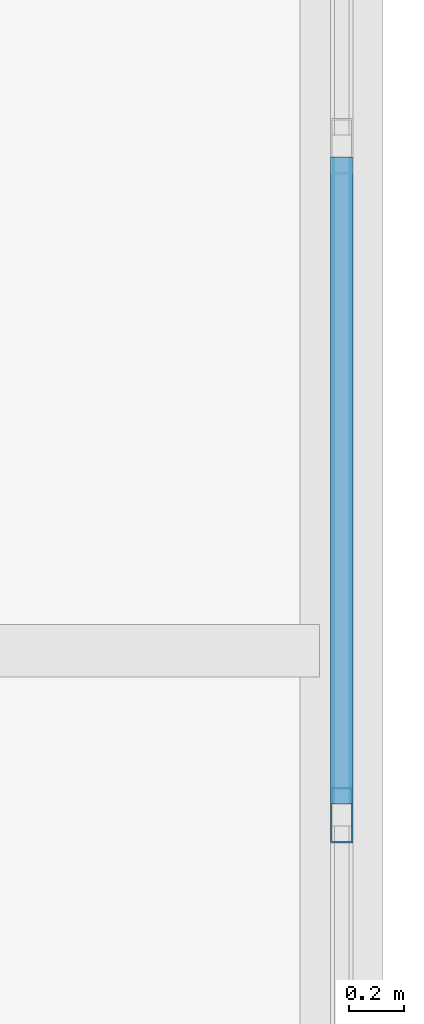
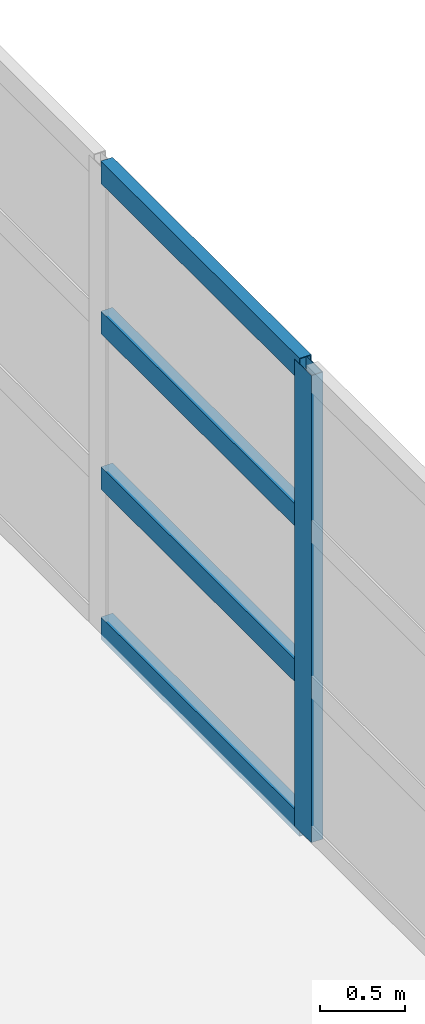
# One storey, part 102 of 147: 5 members, 1 element without a shape of its own.
"""IFC4 building model written with IfcOpenShell, lengths in metres."""

from ifc_helpers import new_model, si_unit, direction, frame, origin, origin_2d, place, context, subcontext, project, spatial, hollow_rectangle, extrude, material, layer, layer_set, material_profile, profile_set, type_object, element, aggregate, save


model = new_model("IFC4")

# Units and contexts
model_context = context("Model", 3, precision=1e-05, world=origin(), true_north=direction((0.0, 1.0)))
body_context = subcontext(model_context, "Body", "Model", "MODEL_VIEW")
ifc_project = project(units=[si_unit("LENGTHUNIT", "METRE"), si_unit("AREAUNIT", "SQUARE_METRE"), si_unit("VOLUMEUNIT", "CUBIC_METRE"), si_unit("PLANEANGLEUNIT", "RADIAN"), si_unit("MASSUNIT", "GRAM", prefix="KILO")], contexts=[model_context])

# Site, building, storey
site_placement = place(None, origin())
site = spatial("IfcSite", under=ifc_project, at=site_placement, CompositionType="ELEMENT")
building_placement = place(site_placement, origin())
building = spatial("IfcBuilding", under=site, at=building_placement, Name="Zilviju Railside Exhibition Hall", CompositionType="ELEMENT")
storey_placement = place(building_placement, frame((0.0, 0.0, 8.39990234375)))
storey = spatial("IfcBuildingStorey", under=building, at=storey_placement, Name="L03", CompositionType="ELEMENT", Elevation=8.39990234375)

# Curtain wall, members
ifc_material_1 = material(Name="Thermally broken aluminium-steel triple-glazed curtain wall", Category="steel")
ifc_layer = layer(ifc_material_1, 0.179931640625)
ifc_layer_set = layer_set([ifc_layer], Name="Thermally broken aluminium-steel triple-glazed curtain wall")
curtain_wall_type = type_object("IfcCurtainWallType", Name="CW-BAY-08", PredefinedType="USERDEFINED", material=ifc_layer_set)
curtain_wall_placement = place(storey_placement, origin())
curtain_wall = element("IfcCurtainWall", 1, at=curtain_wall_placement, inside=storey, type_object=curtain_wall_type, Name="North Hall East Glazed Gable L03 (84..102)", ObjectType="GLAZED CURTAIN WALL", PredefinedType="USERDEFINED")
ifc_material_2 = material(Name="Thermally broken anodized aluminium mullion", Category="aluminium")
ifc_material_profile_1 = material_profile(ifc_material_2, hollow_rectangle(XDim=0.080078125, YDim=0.199951171875, WallThickness=0.0048828125, at=origin_2d()), Name="MULLION 200x80x5")
ifc_profile_set_1 = profile_set([ifc_material_profile_1], Name="Thermally broken anodized aluminium mullion")
member_type_1 = type_object("IfcMemberType", Name="CWM-80x200", PredefinedType="MULLION", material=ifc_profile_set_1)
member_1_placement = place(storey_placement, frame((216.0, 94.20703125, 0.0), z_axis=(0.0, 0.0, 1.0), x_axis=(1.0, 0.0, 0.0)))
member_1 = element("IfcMember", 2, at=member_1_placement, type_object=member_type_1, Name="CW-08 mullion 4", PredefinedType="MULLION", context=body_context, shape_type="SweptSolid", body=[
    extrude(hollow_rectangle(XDim=0.080078125, YDim=0.199951171875, WallThickness=0.0048828125, at=origin_2d()), origin(), (0.0, 0.0, 1.0), 3.35009765625),
])
ifc_material_3 = material(Name="Thermally broken anodized aluminium transom", Category="aluminium")
ifc_material_profile_2 = material_profile(ifc_material_3, hollow_rectangle(XDim=0.080078125, YDim=0.159912109375, WallThickness=0.0048828125, at=origin_2d()), Name="TRANSOM 160x80x5")
ifc_profile_set_2 = profile_set([ifc_material_profile_2], Name="Thermally broken anodized aluminium transom")
member_type_2 = type_object("IfcMemberType", Name="CWT-80x160", PredefinedType="USERDEFINED", material=ifc_profile_set_2)
member_2_placement = place(storey_placement, frame((216.0, 96.58154296875, 0.0400390625), z_axis=(0.0, -1.0, 0.0), x_axis=(1.0, 0.0, 0.0)))
member_2 = element("IfcMember", 3, at=member_2_placement, type_object=member_type_2, Name="CW-08 transom 3.1", ObjectType="TRANSOM", PredefinedType="USERDEFINED", context=body_context, shape_type="SweptSolid", body=[
    extrude(hollow_rectangle(XDim=0.080078125, YDim=0.159912109375, WallThickness=0.0048828125, at=origin_2d()), origin(), (0.0, 0.0, 1.0), 2.33447265625),
])
member_3_placement = place(storey_placement, frame((216.0, 96.58154296875, 1.1171875), z_axis=(0.0, -1.0, 0.0), x_axis=(1.0, 0.0, 0.0)))
member_3 = element("IfcMember", 4, at=member_3_placement, type_object=member_type_2, Name="CW-08 transom 3.2", ObjectType="TRANSOM", PredefinedType="USERDEFINED", context=body_context, shape_type="SweptSolid", body=[
    extrude(hollow_rectangle(XDim=0.080078125, YDim=0.159912109375, WallThickness=0.0048828125, at=origin_2d()), origin(), (0.0, 0.0, 1.0), 2.33447265625),
])
member_4_placement = place(storey_placement, frame((216.0, 96.58154296875, 2.233154296875), z_axis=(0.0, -1.0, 0.0), x_axis=(1.0, 0.0, 0.0)))
member_4 = element("IfcMember", 5, at=member_4_placement, type_object=member_type_2, Name="CW-08 transom 3.3", ObjectType="TRANSOM", PredefinedType="USERDEFINED", context=body_context, shape_type="SweptSolid", body=[
    extrude(hollow_rectangle(XDim=0.080078125, YDim=0.159912109375, WallThickness=0.0048828125, at=origin_2d()), origin(), (0.0, 0.0, 1.0), 2.33447265625),
])
member_5_placement = place(storey_placement, frame((216.0, 96.58154296875, 3.31005859375), z_axis=(0.0, -1.0, 0.0), x_axis=(1.0, 0.0, 0.0)))
member_5 = element("IfcMember", 6, at=member_5_placement, type_object=member_type_2, Name="CW-08 transom 3.4", ObjectType="TRANSOM", PredefinedType="USERDEFINED", context=body_context, shape_type="SweptSolid", body=[
    extrude(hollow_rectangle(XDim=0.080078125, YDim=0.159912109375, WallThickness=0.0048828125, at=origin_2d()), origin(), (0.0, 0.0, 1.0), 2.33447265625),
])
aggregate(curtain_wall, [member_1, member_2, member_3, member_4, member_5])

save(model, "model.ifc")
